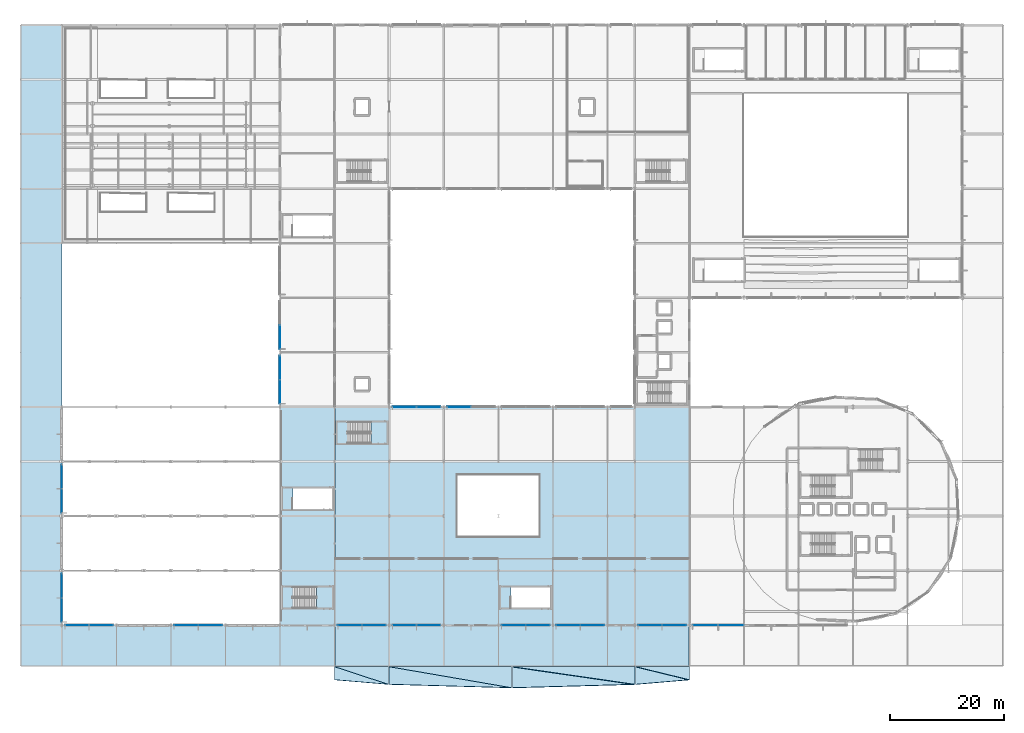
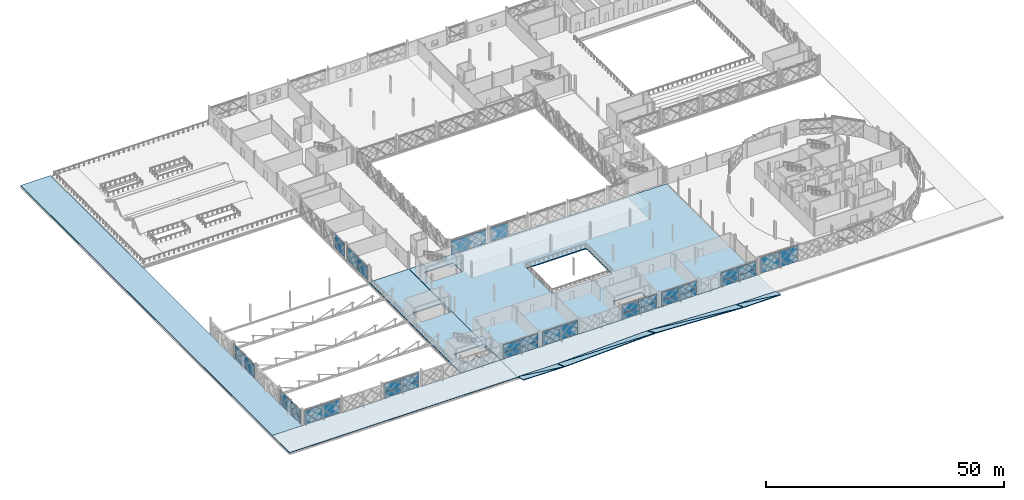
# One storey, part 60 of 101: 38 plates, 15 slabs, 16 elements without a shape of their own.
"""IFC4 building model written with IfcOpenShell, lengths in metres."""

from ifc_helpers import new_model, si_unit, direction, frame, origin, origin_2d, place, context, subcontext, project, spatial, polyline, rectangle, outline, extrude, material, layer, layer_set, type_object, element, aggregate, save


model = new_model("IFC4")

# Units and contexts
model_context = context("Model", 3, precision=1e-05, world=origin(), true_north=direction((0.0, 1.0)))
body_context = subcontext(model_context, "Body", "Model", "MODEL_VIEW")
ifc_project = project(units=[si_unit("LENGTHUNIT", "METRE"), si_unit("AREAUNIT", "SQUARE_METRE"), si_unit("VOLUMEUNIT", "CUBIC_METRE"), si_unit("PLANEANGLEUNIT", "RADIAN"), si_unit("MASSUNIT", "GRAM", prefix="KILO")], contexts=[model_context])

# Site, building, storey
site_placement = place(None, origin())
site = spatial("IfcSite", under=ifc_project, at=site_placement, CompositionType="ELEMENT")
building_placement = place(site_placement, origin())
building = spatial("IfcBuilding", under=site, at=building_placement, Name="Zevrakil Square Congress Hotel", CompositionType="ELEMENT")
storey_placement = place(building_placement, frame((0.0, 0.0, 5.39990234375)))
storey = spatial("IfcBuildingStorey", under=building, at=storey_placement, Name="L02", CompositionType="ELEMENT", Elevation=5.39990234375)

# Curtain wall, plate
ifc_material_1 = material(Name="Aluminium Anodised Bronze", Category="aluminium")
ifc_layer_1 = layer(ifc_material_1, 0.179931640625)
ifc_layer_set_1 = layer_set([ifc_layer_1], Name="Aluminium Anodised Bronze")
curtain_wall_type_1 = type_object("IfcCurtainWallType", Name="CW-L02-840", PredefinedType="USERDEFINED", material=ifc_layer_set_1)
curtain_wall_1_placement = place(storey_placement, origin())
curtain_wall_1 = element("IfcCurtainWall", 1, at=curtain_wall_1_placement, inside=storey, type_object=curtain_wall_type_1, Name="L02 diamond curtain wall CW-L02-0001", ObjectType="GLAZED CURTAIN WALL", PredefinedType="USERDEFINED")
ifc_material_2 = material(Name="Low-E Solar Control Double Glazing", Category="glass")
ifc_layer_2 = layer(ifc_material_2, 0.028076171875)
ifc_layer_set_2 = layer_set([ifc_layer_2], Name="Low-E Solar Control Double Glazing")
plate_type_1 = type_object("IfcPlateType", Name="CWP-GLAZ-28", PredefinedType="CURTAIN_PANEL", material=ifc_layer_set_2)
plate_1_placement = place(storey_placement, frame((9.875, 7.199951171875, 0.06005859375), z_axis=(0.0, 0.0, 1.0), x_axis=(1.0, 0.0, 0.0)))
plate_1 = element("IfcPlate", 2, at=plate_1_placement, type_object=plate_type_1, Name="CW-23 panel 1.1", PredefinedType="CURTAIN_PANEL", context=body_context, shape_type="SweptSolid", body=[
    extrude(rectangle(XDim=4.18994140625, YDim=0.028076171875, at=origin_2d()), origin(), (0.0, 0.0, 1.0), 3.56494140625),
])

curtain_wall_2_placement = place(storey_placement, origin())
curtain_wall_2 = element("IfcCurtainWall", 3, at=curtain_wall_2_placement, inside=storey, type_object=curtain_wall_type_1, Name="L02 diamond curtain wall CW-L02-0002", ObjectType="GLAZED CURTAIN WALL", PredefinedType="USERDEFINED")
plate_2_placement = place(storey_placement, frame((33.324951171875, 7.199951171875, 0.06005859375), z_axis=(0.0, 0.0, 1.0), x_axis=(1.0, 0.0, 0.0)))
plate_2 = element("IfcPlate", 4, at=plate_2_placement, type_object=plate_type_1, Name="CW-23 panel 2.1", PredefinedType="CURTAIN_PANEL", context=body_context, shape_type="SweptSolid", body=[
    extrude(rectangle(XDim=4.18994140625, YDim=0.028076171875, at=origin_2d()), origin(), (0.0, 0.0, 1.0), 1.457763671875),
])

# Curtain wall, plates
curtain_wall_3_placement = place(storey_placement, origin())
curtain_wall_3 = element("IfcCurtainWall", 5, at=curtain_wall_3_placement, inside=storey, type_object=curtain_wall_type_1, Name="L02 diamond curtain wall CW-L02-0004", ObjectType="GLAZED CURTAIN WALL", PredefinedType="USERDEFINED")
plate_3_placement = place(storey_placement, frame((57.875, 7.199951171875, 0.06005859375), z_axis=(0.0, 0.0, 1.0), x_axis=(1.0, 0.0, 0.0)))
plate_3 = element("IfcPlate", 6, at=plate_3_placement, type_object=plate_type_1, Name="CW-23 panel 1.1", PredefinedType="CURTAIN_PANEL", context=body_context, shape_type="SweptSolid", body=[
    extrude(rectangle(XDim=4.18994140625, YDim=0.028076171875, at=origin_2d()), origin(), (0.0, 0.0, 1.0), 1.457763671875),
])
plate_4_placement = place(storey_placement, frame((62.125, 7.199951171875, 0.06005859375), z_axis=(0.0, 0.0, 1.0), x_axis=(1.0, 0.0, 0.0)))
plate_4 = element("IfcPlate", 7, at=plate_4_placement, type_object=plate_type_1, Name="CW-23 panel 2.1", PredefinedType="CURTAIN_PANEL", context=body_context, shape_type="SweptSolid", body=[
    extrude(rectangle(XDim=4.18994140625, YDim=0.028076171875, at=origin_2d()), origin(), (0.0, 0.0, 1.0), 1.457763671875),
])

# Curtain wall, plate
curtain_wall_4_placement = place(storey_placement, origin())
curtain_wall_4 = element("IfcCurtainWall", 8, at=curtain_wall_4_placement, inside=storey, type_object=curtain_wall_type_1, Name="L02 diamond curtain wall CW-L02-0005", ObjectType="GLAZED CURTAIN WALL", PredefinedType="USERDEFINED")
plate_5_placement = place(storey_placement, frame((71.72509765625, 7.199951171875, 0.06005859375), z_axis=(0.0, 0.0, 1.0), x_axis=(1.0, 0.0, 0.0)))
plate_5 = element("IfcPlate", 9, at=plate_5_placement, type_object=plate_type_1, Name="CW-23 panel 2.1", PredefinedType="CURTAIN_PANEL", context=body_context, shape_type="SweptSolid", body=[
    extrude(rectangle(XDim=4.18994140625, YDim=0.028076171875, at=origin_2d()), origin(), (0.0, 0.0, 1.0), 3.56494140625),
])

# Curtain wall, plates
curtain_wall_5_placement = place(storey_placement, origin())
curtain_wall_5 = element("IfcCurtainWall", 10, at=curtain_wall_5_placement, inside=storey, type_object=curtain_wall_type_1, Name="L02 diamond curtain wall CW-L02-0008", ObjectType="GLAZED CURTAIN WALL", PredefinedType="USERDEFINED")
plate_6_placement = place(storey_placement, frame((86.675048828125, 7.199951171875, 1.577880859375), z_axis=(0.0, 0.0, 1.0), x_axis=(1.0, 0.0, 0.0)))
plate_6 = element("IfcPlate", 11, at=plate_6_placement, type_object=plate_type_1, Name="CW-23 panel 1.2", PredefinedType="CURTAIN_PANEL", context=body_context, shape_type="SweptSolid", body=[
    extrude(rectangle(XDim=4.18994140625, YDim=0.028076171875, at=origin_2d()), origin(), (0.0, 0.0, 1.0), 2.04736328125),
])
plate_7_placement = place(storey_placement, frame((90.925048828125, 7.199951171875, 1.577880859375), z_axis=(0.0, 0.0, 1.0), x_axis=(1.0, 0.0, 0.0)))
plate_7 = element("IfcPlate", 12, at=plate_7_placement, type_object=plate_type_1, Name="CW-23 panel 2.2", PredefinedType="CURTAIN_PANEL", context=body_context, shape_type="SweptSolid", body=[
    extrude(rectangle(XDim=4.18994140625, YDim=0.028076171875, at=origin_2d()), origin(), (0.0, 0.0, 1.0), 2.04736328125),
])

# Curtain wall, plate
curtain_wall_6_placement = place(storey_placement, origin())
curtain_wall_6 = element("IfcCurtainWall", 13, at=curtain_wall_6_placement, inside=storey, type_object=curtain_wall_type_1, Name="L02 diamond curtain wall CW-L02-0010", ObjectType="GLAZED CURTAIN WALL", PredefinedType="USERDEFINED")
plate_8_placement = place(storey_placement, frame((96.27490234375, 7.199951171875, 1.577880859375), z_axis=(0.0, 0.0, 1.0), x_axis=(1.0, 0.0, 0.0)))
plate_8 = element("IfcPlate", 14, at=plate_8_placement, type_object=plate_type_1, Name="CW-23 panel 1.2", PredefinedType="CURTAIN_PANEL", context=body_context, shape_type="SweptSolid", body=[
    extrude(rectangle(XDim=4.18994140625, YDim=0.028076171875, at=origin_2d()), origin(), (0.0, 0.0, 1.0), 2.04736328125),
])

curtain_wall_7_placement = place(storey_placement, origin())
curtain_wall_7 = element("IfcCurtainWall", 15, at=curtain_wall_7_placement, inside=storey, type_object=curtain_wall_type_1, Name="L02 diamond curtain wall CW-L02-0012", ObjectType="GLAZED CURTAIN WALL", PredefinedType="USERDEFINED")
plate_9_placement = place(storey_placement, frame((114.925048828125, 7.199951171875, 0.06005859375), z_axis=(0.0, 0.0, 1.0), x_axis=(1.0, 0.0, 0.0)))
plate_9 = element("IfcPlate", 16, at=plate_9_placement, type_object=plate_type_1, Name="CW-23 panel 2.1", PredefinedType="CURTAIN_PANEL", context=body_context, shape_type="SweptSolid", body=[
    extrude(rectangle(XDim=4.18994140625, YDim=0.028076171875, at=origin_2d()), origin(), (0.0, 0.0, 1.0), 1.457763671875),
])

ifc_material_3 = material(Name="Aluminium Anodised Bronze", Category="aluminium")
ifc_layer_3 = layer(ifc_material_3, 0.179931640625)
ifc_layer_set_3 = layer_set([ifc_layer_3], Name="Aluminium Anodised Bronze")
curtain_wall_type_2 = type_object("IfcCurtainWallType", Name="CW-L02-900", PredefinedType="USERDEFINED", material=ifc_layer_set_3)
curtain_wall_8_placement = place(storey_placement, origin())
curtain_wall_8 = element("IfcCurtainWall", 17, at=curtain_wall_8_placement, inside=storey, type_object=curtain_wall_type_2, Name="L02 diamond curtain wall CW-L02-0013", ObjectType="GLAZED CURTAIN WALL", PredefinedType="USERDEFINED")
plate_10_placement = place(storey_placement, frame((124.912841796875, 7.199951171875, 0.06005859375), z_axis=(0.0, 0.0, 1.0), x_axis=(1.0, 0.0, 0.0)))
plate_10 = element("IfcPlate", 18, at=plate_10_placement, type_object=plate_type_1, Name="CW-24 panel 2.1", PredefinedType="CURTAIN_PANEL", context=body_context, shape_type="SweptSolid", body=[
    extrude(rectangle(XDim=4.448486328125, YDim=0.028076171875, at=origin_2d()), origin(), (0.0, 0.0, 1.0), 4.1201171875),
])

# Curtain wall, plates
curtain_wall_9_placement = place(storey_placement, origin())
curtain_wall_9 = element("IfcCurtainWall", 19, at=curtain_wall_9_placement, inside=storey, type_object=curtain_wall_type_1, Name="L02 diamond curtain wall CW-L02-0018", ObjectType="GLAZED CURTAIN WALL", PredefinedType="USERDEFINED")
plate_11_placement = place(storey_placement, frame((7.199951171875, 9.875, 1.573486328125), z_axis=(0.0, 0.0, 1.0), x_axis=(0.0, 1.0, 0.0)))
plate_11 = element("IfcPlate", 20, at=plate_11_placement, type_object=plate_type_1, Name="CW-23 panel 1.2", PredefinedType="CURTAIN_PANEL", context=body_context, shape_type="SweptSolid", body=[
    extrude(rectangle(XDim=4.18994140625, YDim=0.028076171875, at=origin_2d()), origin(), (0.0, 0.0, 1.0), 2.04150390625),
])
plate_12_placement = place(storey_placement, frame((7.199951171875, 14.125, 1.573486328125), z_axis=(0.0, 0.0, 1.0), x_axis=(0.0, 1.0, 0.0)))
plate_12 = element("IfcPlate", 21, at=plate_12_placement, type_object=plate_type_1, Name="CW-23 panel 2.2", PredefinedType="CURTAIN_PANEL", context=body_context, shape_type="SweptSolid", body=[
    extrude(rectangle(XDim=4.18994140625, YDim=0.028076171875, at=origin_2d()), origin(), (0.0, 0.0, 1.0), 2.04150390625),
])

# Curtain wall, plate
curtain_wall_10_placement = place(storey_placement, origin())
curtain_wall_10 = element("IfcCurtainWall", 22, at=curtain_wall_10_placement, inside=storey, type_object=curtain_wall_type_1, Name="L02 diamond curtain wall CW-L02-0019", ObjectType="GLAZED CURTAIN WALL", PredefinedType="USERDEFINED")
plate_13_placement = place(storey_placement, frame((7.199951171875, 29.074951171875, 0.06005859375), z_axis=(0.0, 0.0, 1.0), x_axis=(0.0, 1.0, 0.0)))
plate_13 = element("IfcPlate", 23, at=plate_13_placement, type_object=plate_type_1, Name="CW-23 panel 1.1", PredefinedType="CURTAIN_PANEL", context=body_context, shape_type="SweptSolid", body=[
    extrude(rectangle(XDim=4.18994140625, YDim=0.028076171875, at=origin_2d()), origin(), (0.0, 0.0, 1.0), 3.554931640625),
])

curtain_wall_11_placement = place(storey_placement, origin())
curtain_wall_11 = element("IfcCurtainWall", 24, at=curtain_wall_11_placement, inside=storey, type_object=curtain_wall_type_1, Name="L02 diamond curtain wall CW-L02-0023", ObjectType="GLAZED CURTAIN WALL", PredefinedType="USERDEFINED")
plate_14_placement = place(storey_placement, frame((45.60009765625, 52.52490234375, 0.06005859375), z_axis=(0.0, 0.0, 1.0), x_axis=(0.0, 1.0, 0.0)))
plate_14 = element("IfcPlate", 25, at=plate_14_placement, type_object=plate_type_1, Name="CW-23 panel 2.1", PredefinedType="CURTAIN_PANEL", context=body_context, shape_type="SweptSolid", body=[
    extrude(rectangle(XDim=4.18994140625, YDim=0.028076171875, at=origin_2d()), origin(), (0.0, 0.0, 1.0), 3.554931640625),
])

curtain_wall_12_placement = place(storey_placement, origin())
curtain_wall_12 = element("IfcCurtainWall", 26, at=curtain_wall_12_placement, inside=storey, type_object=curtain_wall_type_1, Name="L02 diamond curtain wall CW-L02-0099", ObjectType="GLAZED CURTAIN WALL", PredefinedType="USERDEFINED")
plate_15_placement = place(storey_placement, frame((67.47509765625, 45.60009765625, 0.06005859375), z_axis=(0.0, 0.0, 1.0), x_axis=(1.0, 0.0, 0.0)))
plate_15 = element("IfcPlate", 27, at=plate_15_placement, type_object=plate_type_1, Name="CW-23 panel 1.1", PredefinedType="CURTAIN_PANEL", context=body_context, shape_type="SweptSolid", body=[
    extrude(rectangle(XDim=4.18994140625, YDim=0.028076171875, at=origin_2d()), origin(), (0.0, 0.0, 1.0), 3.56494140625),
])

# Plate
ifc_material_4 = material(Name="Basalt Grey Ribbed GRC Panel", Category="masonry")
ifc_layer_4 = layer(ifc_material_4, 0.0439453125)
ifc_layer_set_4 = layer_set([ifc_layer_4], Name="Basalt Grey Ribbed GRC Panel")
plate_type_2 = type_object("IfcPlateType", Name="CWP-GRCG-44", PredefinedType="CURTAIN_PANEL", material=ifc_layer_set_4)
plate_16_placement = place(storey_placement, frame((29.074951171875, 7.199951171875, 1.577880859375), z_axis=(0.0, 0.0, 1.0), x_axis=(1.0, 0.0, 0.0)))
plate_16 = element("IfcPlate", 28, at=plate_16_placement, type_object=plate_type_2, Name="CW-23 panel 1.2", PredefinedType="CURTAIN_PANEL", context=body_context, shape_type="SweptSolid", body=[
    extrude(rectangle(XDim=4.18994140625, YDim=0.028076171875, at=origin_2d()), origin(), (0.0, 0.0, 1.0), 2.04736328125),
])

plate_17_placement = place(storey_placement, frame((86.675048828125, 7.199951171875, 0.06005859375), z_axis=(0.0, 0.0, 1.0), x_axis=(1.0, 0.0, 0.0)))
plate_17 = element("IfcPlate", 29, at=plate_17_placement, type_object=plate_type_2, Name="CW-23 panel 1.1", PredefinedType="CURTAIN_PANEL", context=body_context, shape_type="SweptSolid", body=[
    extrude(rectangle(XDim=4.18994140625, YDim=0.028076171875, at=origin_2d()), origin(), (0.0, 0.0, 1.0), 1.457763671875),
])

plate_18_placement = place(storey_placement, frame((100.52490234375, 7.199951171875, 1.577880859375), z_axis=(0.0, 0.0, 1.0), x_axis=(1.0, 0.0, 0.0)))
plate_18 = element("IfcPlate", 30, at=plate_18_placement, type_object=plate_type_2, Name="CW-23 panel 2.2", PredefinedType="CURTAIN_PANEL", context=body_context, shape_type="SweptSolid", body=[
    extrude(rectangle(XDim=4.18994140625, YDim=0.028076171875, at=origin_2d()), origin(), (0.0, 0.0, 1.0), 2.04736328125),
])

plate_19_placement = place(storey_placement, frame((110.675048828125, 7.199951171875, 1.577880859375), z_axis=(0.0, 0.0, 1.0), x_axis=(1.0, 0.0, 0.0)))
plate_19 = element("IfcPlate", 31, at=plate_19_placement, type_object=plate_type_2, Name="CW-23 panel 1.2", PredefinedType="CURTAIN_PANEL", context=body_context, shape_type="SweptSolid", body=[
    extrude(rectangle(XDim=4.18994140625, YDim=0.028076171875, at=origin_2d()), origin(), (0.0, 0.0, 1.0), 2.04736328125),
])

plate_20_placement = place(storey_placement, frame((120.404296875, 7.199951171875, 0.06005859375), z_axis=(0.0, 0.0, 1.0), x_axis=(1.0, 0.0, 0.0)))
plate_20 = element("IfcPlate", 32, at=plate_20_placement, type_object=plate_type_2, Name="CW-24 panel 1.1", PredefinedType="CURTAIN_PANEL", context=body_context, shape_type="SweptSolid", body=[
    extrude(rectangle(XDim=4.448486328125, YDim=0.028076171875, at=origin_2d()), origin(), (0.0, 0.0, 1.0), 4.1201171875),
])

aggregate(curtain_wall_8, [plate_20, plate_10])

plate_21_placement = place(storey_placement, frame((7.199951171875, 9.875, 0.06005859375), z_axis=(0.0, 0.0, 1.0), x_axis=(0.0, 1.0, 0.0)))
plate_21 = element("IfcPlate", 33, at=plate_21_placement, type_object=plate_type_2, Name="CW-23 panel 1.1", PredefinedType="CURTAIN_PANEL", context=body_context, shape_type="SweptSolid", body=[
    extrude(rectangle(XDim=4.18994140625, YDim=0.028076171875, at=origin_2d()), origin(), (0.0, 0.0, 1.0), 1.45361328125),
])

plate_22_placement = place(storey_placement, frame((45.60009765625, 48.27490234375, 0.06005859375), z_axis=(0.0, 0.0, 1.0), x_axis=(0.0, 1.0, 0.0)))
plate_22 = element("IfcPlate", 34, at=plate_22_placement, type_object=plate_type_2, Name="CW-23 panel 1.1", PredefinedType="CURTAIN_PANEL", context=body_context, shape_type="SweptSolid", body=[
    extrude(rectangle(XDim=4.18994140625, YDim=0.028076171875, at=origin_2d()), origin(), (0.0, 0.0, 1.0), 3.554931640625),
])

aggregate(curtain_wall_11, [plate_22, plate_14])

# Curtain wall, plate
curtain_wall_13_placement = place(storey_placement, origin())
curtain_wall_13 = element("IfcCurtainWall", 35, at=curtain_wall_13_placement, inside=storey, type_object=curtain_wall_type_1, Name="L02 diamond curtain wall CW-L02-0103", ObjectType="GLAZED CURTAIN WALL", PredefinedType="USERDEFINED")
plate_23_placement = place(storey_placement, frame((77.074951171875, 45.60009765625, 0.06005859375), z_axis=(0.0, 0.0, 1.0), x_axis=(1.0, 0.0, 0.0)))
plate_23 = element("IfcPlate", 36, at=plate_23_placement, type_object=plate_type_2, Name="CW-23 panel 1.1", PredefinedType="CURTAIN_PANEL", context=body_context, shape_type="SweptSolid", body=[
    extrude(rectangle(XDim=4.18994140625, YDim=0.028076171875, at=origin_2d()), origin(), (0.0, 0.0, 1.0), 3.56494140625),
])
aggregate(curtain_wall_13, [plate_23])

# Plate
ifc_material_5 = material(Name="White Ribbed Highland GRC Panel", Category="concrete")
ifc_layer_5 = layer(ifc_material_5, 0.0400390625)
ifc_layer_set_5 = layer_set([ifc_layer_5], Name="White Ribbed Highland GRC Panel")
plate_type_3 = type_object("IfcPlateType", Name="CWP-GRCW-40", PredefinedType="CURTAIN_PANEL", material=ifc_layer_set_5)
plate_24_placement = place(storey_placement, frame((14.125, 7.199951171875, 0.06005859375), z_axis=(0.0, 0.0, 1.0), x_axis=(1.0, 0.0, 0.0)))
plate_24 = element("IfcPlate", 37, at=plate_24_placement, type_object=plate_type_3, Name="CW-23 panel 2.1", PredefinedType="CURTAIN_PANEL", context=body_context, shape_type="SweptSolid", body=[
    extrude(rectangle(XDim=4.18994140625, YDim=0.028076171875, at=origin_2d()), origin(), (0.0, 0.0, 1.0), 3.56494140625),
])

aggregate(curtain_wall_1, [plate_1, plate_24])

plate_25_placement = place(storey_placement, frame((29.074951171875, 7.199951171875, 0.06005859375), z_axis=(0.0, 0.0, 1.0), x_axis=(1.0, 0.0, 0.0)))
plate_25 = element("IfcPlate", 38, at=plate_25_placement, type_object=plate_type_3, Name="CW-23 panel 1.1", PredefinedType="CURTAIN_PANEL", context=body_context, shape_type="SweptSolid", body=[
    extrude(rectangle(XDim=4.18994140625, YDim=0.028076171875, at=origin_2d()), origin(), (0.0, 0.0, 1.0), 1.457763671875),
])

plate_26_placement = place(storey_placement, frame((33.324951171875, 7.199951171875, 1.577880859375), z_axis=(0.0, 0.0, 1.0), x_axis=(1.0, 0.0, 0.0)))
plate_26 = element("IfcPlate", 39, at=plate_26_placement, type_object=plate_type_3, Name="CW-23 panel 2.2", PredefinedType="CURTAIN_PANEL", context=body_context, shape_type="SweptSolid", body=[
    extrude(rectangle(XDim=4.18994140625, YDim=0.028076171875, at=origin_2d()), origin(), (0.0, 0.0, 1.0), 2.04736328125),
])

aggregate(curtain_wall_2, [plate_25, plate_16, plate_2, plate_26])

plate_27_placement = place(storey_placement, frame((57.875, 7.199951171875, 1.577880859375), z_axis=(0.0, 0.0, 1.0), x_axis=(1.0, 0.0, 0.0)))
plate_27 = element("IfcPlate", 40, at=plate_27_placement, type_object=plate_type_3, Name="CW-23 panel 1.2", PredefinedType="CURTAIN_PANEL", context=body_context, shape_type="SweptSolid", body=[
    extrude(rectangle(XDim=4.18994140625, YDim=0.028076171875, at=origin_2d()), origin(), (0.0, 0.0, 1.0), 2.04736328125),
])

plate_28_placement = place(storey_placement, frame((62.125, 7.199951171875, 1.577880859375), z_axis=(0.0, 0.0, 1.0), x_axis=(1.0, 0.0, 0.0)))
plate_28 = element("IfcPlate", 41, at=plate_28_placement, type_object=plate_type_3, Name="CW-23 panel 2.2", PredefinedType="CURTAIN_PANEL", context=body_context, shape_type="SweptSolid", body=[
    extrude(rectangle(XDim=4.18994140625, YDim=0.028076171875, at=origin_2d()), origin(), (0.0, 0.0, 1.0), 2.04736328125),
])

aggregate(curtain_wall_3, [plate_3, plate_27, plate_4, plate_28])

plate_29_placement = place(storey_placement, frame((67.47509765625, 7.199951171875, 0.06005859375), z_axis=(0.0, 0.0, 1.0), x_axis=(1.0, 0.0, 0.0)))
plate_29 = element("IfcPlate", 42, at=plate_29_placement, type_object=plate_type_3, Name="CW-23 panel 1.1", PredefinedType="CURTAIN_PANEL", context=body_context, shape_type="SweptSolid", body=[
    extrude(rectangle(XDim=4.18994140625, YDim=0.028076171875, at=origin_2d()), origin(), (0.0, 0.0, 1.0), 3.56494140625),
])

aggregate(curtain_wall_4, [plate_29, plate_5])

plate_30_placement = place(storey_placement, frame((90.925048828125, 7.199951171875, 0.06005859375), z_axis=(0.0, 0.0, 1.0), x_axis=(1.0, 0.0, 0.0)))
plate_30 = element("IfcPlate", 43, at=plate_30_placement, type_object=plate_type_3, Name="CW-23 panel 2.1", PredefinedType="CURTAIN_PANEL", context=body_context, shape_type="SweptSolid", body=[
    extrude(rectangle(XDim=4.18994140625, YDim=0.028076171875, at=origin_2d()), origin(), (0.0, 0.0, 1.0), 1.457763671875),
])

aggregate(curtain_wall_5, [plate_17, plate_6, plate_30, plate_7])

plate_31_placement = place(storey_placement, frame((96.27490234375, 7.199951171875, 0.06005859375), z_axis=(0.0, 0.0, 1.0), x_axis=(1.0, 0.0, 0.0)))
plate_31 = element("IfcPlate", 44, at=plate_31_placement, type_object=plate_type_3, Name="CW-23 panel 1.1", PredefinedType="CURTAIN_PANEL", context=body_context, shape_type="SweptSolid", body=[
    extrude(rectangle(XDim=4.18994140625, YDim=0.028076171875, at=origin_2d()), origin(), (0.0, 0.0, 1.0), 1.457763671875),
])

plate_32_placement = place(storey_placement, frame((100.52490234375, 7.199951171875, 0.06005859375), z_axis=(0.0, 0.0, 1.0), x_axis=(1.0, 0.0, 0.0)))
plate_32 = element("IfcPlate", 45, at=plate_32_placement, type_object=plate_type_3, Name="CW-23 panel 2.1", PredefinedType="CURTAIN_PANEL", context=body_context, shape_type="SweptSolid", body=[
    extrude(rectangle(XDim=4.18994140625, YDim=0.028076171875, at=origin_2d()), origin(), (0.0, 0.0, 1.0), 1.457763671875),
])

aggregate(curtain_wall_6, [plate_31, plate_8, plate_32, plate_18])

plate_33_placement = place(storey_placement, frame((110.675048828125, 7.199951171875, 0.06005859375), z_axis=(0.0, 0.0, 1.0), x_axis=(1.0, 0.0, 0.0)))
plate_33 = element("IfcPlate", 46, at=plate_33_placement, type_object=plate_type_3, Name="CW-23 panel 1.1", PredefinedType="CURTAIN_PANEL", context=body_context, shape_type="SweptSolid", body=[
    extrude(rectangle(XDim=4.18994140625, YDim=0.028076171875, at=origin_2d()), origin(), (0.0, 0.0, 1.0), 1.457763671875),
])

plate_34_placement = place(storey_placement, frame((114.925048828125, 7.199951171875, 1.577880859375), z_axis=(0.0, 0.0, 1.0), x_axis=(1.0, 0.0, 0.0)))
plate_34 = element("IfcPlate", 47, at=plate_34_placement, type_object=plate_type_3, Name="CW-23 panel 2.2", PredefinedType="CURTAIN_PANEL", context=body_context, shape_type="SweptSolid", body=[
    extrude(rectangle(XDim=4.18994140625, YDim=0.028076171875, at=origin_2d()), origin(), (0.0, 0.0, 1.0), 2.04736328125),
])

aggregate(curtain_wall_7, [plate_33, plate_19, plate_9, plate_34])

plate_35_placement = place(storey_placement, frame((7.199951171875, 14.125, 0.06005859375), z_axis=(0.0, 0.0, 1.0), x_axis=(0.0, 1.0, 0.0)))
plate_35 = element("IfcPlate", 48, at=plate_35_placement, type_object=plate_type_3, Name="CW-23 panel 2.1", PredefinedType="CURTAIN_PANEL", context=body_context, shape_type="SweptSolid", body=[
    extrude(rectangle(XDim=4.18994140625, YDim=0.028076171875, at=origin_2d()), origin(), (0.0, 0.0, 1.0), 1.45361328125),
])

aggregate(curtain_wall_9, [plate_21, plate_11, plate_35, plate_12])

plate_36_placement = place(storey_placement, frame((7.199951171875, 33.324951171875, 0.06005859375), z_axis=(0.0, 0.0, 1.0), x_axis=(0.0, 1.0, 0.0)))
plate_36 = element("IfcPlate", 49, at=plate_36_placement, type_object=plate_type_3, Name="CW-23 panel 2.1", PredefinedType="CURTAIN_PANEL", context=body_context, shape_type="SweptSolid", body=[
    extrude(rectangle(XDim=4.18994140625, YDim=0.028076171875, at=origin_2d()), origin(), (0.0, 0.0, 1.0), 3.554931640625),
])

aggregate(curtain_wall_10, [plate_13, plate_36])

# Curtain wall, plate
curtain_wall_14_placement = place(storey_placement, origin())
curtain_wall_14 = element("IfcCurtainWall", 50, at=curtain_wall_14_placement, inside=storey, type_object=curtain_wall_type_1, Name="L02 diamond curtain wall CW-L02-0025", ObjectType="GLAZED CURTAIN WALL", PredefinedType="USERDEFINED")
plate_37_placement = place(storey_placement, frame((45.60009765625, 57.875, 0.06005859375), z_axis=(0.0, 0.0, 1.0), x_axis=(0.0, 1.0, 0.0)))
plate_37 = element("IfcPlate", 51, at=plate_37_placement, type_object=plate_type_3, Name="CW-23 panel 1.1", PredefinedType="CURTAIN_PANEL", context=body_context, shape_type="SweptSolid", body=[
    extrude(rectangle(XDim=4.18994140625, YDim=0.028076171875, at=origin_2d()), origin(), (0.0, 0.0, 1.0), 3.554931640625),
])
aggregate(curtain_wall_14, [plate_37])

# Plate
plate_38_placement = place(storey_placement, frame((71.72509765625, 45.60009765625, 0.06005859375), z_axis=(0.0, 0.0, 1.0), x_axis=(1.0, 0.0, 0.0)))
plate_38 = element("IfcPlate", 52, at=plate_38_placement, type_object=plate_type_3, Name="CW-23 panel 2.1", PredefinedType="CURTAIN_PANEL", context=body_context, shape_type="SweptSolid", body=[
    extrude(rectangle(XDim=4.18994140625, YDim=0.028076171875, at=origin_2d()), origin(), (0.0, 0.0, 1.0), 3.56494140625),
])

aggregate(curtain_wall_12, [plate_15, plate_38])

# Slabs
ifc_material_6 = material(Name="Concrete C35/45", Category="concrete")
ifc_layer_6 = layer(ifc_material_6, 0.2548828125)
ifc_layer_set_6 = layer_set([ifc_layer_6], Name="Concrete C35/45")
slab_type_1 = type_object("IfcSlabType", Name="SLB-DRUM-195", PredefinedType="FLOOR", material=ifc_layer_set_6)
slab_1_placement = place(storey_placement, frame((0.0, 0.0, -0.2548828125)))
element("IfcSlab", 53, at=slab_1_placement, inside=storey, type_object=slab_type_1, Name="L02 bal-mezz composite floor slab", PredefinedType="FLOOR", context=body_context, shape_type="SweptSolid", body=[
    extrude(outline(polyline([(45.60009765625, 7.199951171875), (45.60009765625, 45.60009765625), (55.175048828125, 45.60009765625), (55.175048828125, 7.199951171875), (45.60009765625, 7.199951171875)]), holes=[polyline([(47.844970703125, 10.199951171875), (54.800048828125, 10.199951171875), (54.800048828125, 13.949951171875), (47.844970703125, 13.949951171875), (47.844970703125, 10.199951171875)]), polyline([(47.844970703125, 27.60009765625), (54.800048828125, 27.60009765625), (54.800048828125, 31.35009765625), (47.844970703125, 31.35009765625), (47.844970703125, 27.60009765625)])]), origin(), (0.0, 0.0, 1.0), 0.2548828125),
])
slab_2_placement = place(storey_placement, frame((0.0, 0.0, -0.2548828125)))
element("IfcSlab", 54, at=slab_2_placement, inside=storey, type_object=slab_type_1, Name="L02 south composite floor slab (M joint block)", PredefinedType="FLOOR", context=body_context, shape_type="SweptSolid", body=[
    extrude(outline(polyline([(55.22509765625, 7.199951171875), (55.22509765625, 45.60009765625), (117.574951171875, 45.60009765625), (117.574951171875, 7.199951171875), (55.22509765625, 7.199951171875)]), holes=[polyline([(57.445068359375, 39.199951171875), (64.39990234375, 39.199951171875), (64.39990234375, 42.949951171875), (57.445068359375, 42.949951171875), (57.445068359375, 39.199951171875)]), polyline([(86.2451171875, 10.199951171875), (93.199951171875, 10.199951171875), (93.199951171875, 13.949951171875), (86.2451171875, 13.949951171875), (86.2451171875, 10.199951171875)]), polyline([(76.800048828125, 22.800048828125), (91.199951171875, 22.800048828125), (91.199951171875, 33.60009765625), (76.800048828125, 33.60009765625), (76.800048828125, 22.800048828125)])]), origin(), (0.0, 0.0, 1.0), 0.2548828125),
])
ifc_material_7 = material(Name="Concrete C35/45", Category="concrete")
ifc_layer_7 = layer(ifc_material_7, 0.175048828125)
ifc_layer_set_7 = layer_set([ifc_layer_7], Name="Concrete C35/45")
slab_type_2 = type_object("IfcSlabType", Name="SLB-ROOF-COL-175", PredefinedType="ROOF", material=ifc_layer_set_7)
slab_3_placement = place(storey_placement, frame((0.0, 0.0, -0.1748046875)))
element("IfcSlab", 55, at=slab_3_placement, inside=storey, type_object=slab_type_2, Name="L02 civic square colonnade canopy roof COL-S (W joint block)", PredefinedType="ROOF", context=body_context, shape_type="SweptSolid", body=[
    extrude(outline(polyline([(0.0, 0.0), (0.0, 7.199951171875), (55.175048828125, 7.199951171875), (55.175048828125, 0.0), (0.0, 0.0)])), origin(), (0.0, 0.0, 1.0), 0.1748046875),
])
slab_4_placement = place(storey_placement, frame((0.0, 0.0, -0.1748046875)))
element("IfcSlab", 56, at=slab_4_placement, inside=storey, type_object=slab_type_2, Name="L02 civic square colonnade canopy roof COL-S (M joint block)", PredefinedType="ROOF", context=body_context, shape_type="SweptSolid", body=[
    extrude(outline(polyline([(55.22509765625, 0.0), (55.22509765625, 7.199951171875), (117.574951171875, 7.199951171875), (117.574951171875, 0.0), (55.22509765625, 0.0)])), origin(), (0.0, 0.0, 1.0), 0.1748046875),
])
slab_5_placement = place(storey_placement, frame((0.0, 0.0, -0.1748046875)))
element("IfcSlab", 57, at=slab_5_placement, inside=storey, type_object=slab_type_2, Name="L02 civic square colonnade canopy roof COL-W", PredefinedType="ROOF", context=body_context, shape_type="SweptSolid", body=[
    extrude(outline(polyline([(0.0, 112.800048828125), (7.199951171875, 112.800048828125), (7.199951171875, 7.199951171875), (0.0, 7.199951171875), (0.0, 112.800048828125)])), origin(), (0.0, 0.0, 1.0), 0.1748046875),
])
ifc_material_8 = material(Name="Concrete C35/45", Category="concrete")
ifc_layer_8 = layer(ifc_material_8, 0.139892578125)
ifc_layer_set_8 = layer_set([ifc_layer_8], Name="Concrete C35/45")
slab_type_3 = type_object("IfcSlabType", Name="SLB-SADDLE-140", PredefinedType="ROOF", material=ifc_layer_set_8)
slab_6_placement = place(storey_placement, frame((64.800048828125, -0.10009765625, 0.16015625), z_axis=(-0.051420390115, 0.344673230673, 0.937313345439), x_axis=(0.0, -0.938554962893, 0.345129804028)))
element("IfcSlab", 58, at=slab_6_placement, inside=storey, type_object=slab_type_3, Name="L02 south square folded entrance canopy facet CN-01A", PredefinedType="ROOF", context=body_context, shape_type="SweptSolid", body=[
    extrude(outline(polyline([(0.0, 0.0), (3.302793803433259, -6.938893903907228e-18), (4.349250718690579, 21.52848009728635), (0.0, 0.0)])), origin(), (0.0, 0.0, -1.0), 0.159912109375),
])
slab_7_placement = place(storey_placement, frame((64.800048828125, -0.10009765625, 0.16015625), z_axis=(-0.035472058964, 0.417281551755, 0.908084709484), x_axis=(0.978900758176, -0.168459767784, 0.115648658794)))
element("IfcSlab", 59, at=slab_7_placement, inside=storey, type_object=slab_type_3, Name="L02 south square folded entrance canopy facet CN-01B", PredefinedType="ROOF", context=body_context, shape_type="SweptSolid", body=[
    extrude(outline(polyline([(0.0, 0.0), (21.963411326870084, 0.0), (21.143493104063896, 3.9884880447127458), (0.0, 0.0)])), origin(), (0.0, 0.0, -1.0), 0.159912109375),
])
slab_8_placement = place(storey_placement, frame((86.5, -0.10009765625, 1.0), z_axis=(0.047466664682, 0.417073679033, 0.907632338561), x_axis=(0.0, -0.908656555688, 0.417544325557)))
element("IfcSlab", 60, at=slab_8_placement, inside=storey, type_object=slab_type_3, Name="L02 south square folded entrance canopy facet CN-02A", PredefinedType="ROOF", context=body_context, shape_type="SweptSolid", body=[
    extrude(outline(polyline([(0.0, 0.0), (4.071891793123457, 0.0), (2.9419859042196297, 21.524261661134044), (0.0, 0.0)])), origin(), (0.0, 0.0, -1.0), 0.159912109375),
])
slab_9_placement = place(storey_placement, frame((86.5, -0.10009765625, 1.0), z_axis=(0.036637688699, 0.344898088884, 0.937924830704), x_axis=(0.989671056099, -0.142690014073, 0.013811611191)))
element("IfcSlab", 61, at=slab_9_placement, inside=storey, type_object=slab_type_3, Name="L02 south square folded entrance canopy facet CN-02B", PredefinedType="ROOF", context=body_context, shape_type="SweptSolid", body=[
    extrude(outline(polyline([(0.0, 0.0), (21.72439000565014, 6.245004513516506e-16), (21.266328110793747, 3.270875449857072), (0.0, 0.0)])), origin(), (0.0, 0.0, -1.0), 0.159912109375),
])
slab_10_placement = place(storey_placement, frame((55.199951171875, -0.10009765625, 0.16015625), z_axis=(-0.035364116916, 0.248279328013, 0.968042744158), x_axis=(0.0, -0.968648639705, 0.248434725427)))
element("IfcSlab", 62, at=slab_10_placement, inside=storey, type_object=slab_type_3, Name="L02 south square folded entrance canopy facet CN-03A", PredefinedType="ROOF", context=body_context, shape_type="SweptSolid", body=[
    extrude(outline(polyline([(0.0, 0.0), (2.3742403522097413, 3.469446951953614e-18), (3.285857790857296, 9.445849842110173), (0.0, 0.0)])), origin(), (0.0, 0.0, -1.0), 0.159912109375),
])
slab_11_placement = place(storey_placement, frame((55.199951171875, -0.10009765625, 0.16015625), z_axis=(0.0, 0.345129804028, 0.938554962893), x_axis=(0.943895316837, -0.309952900168, 0.113977324634)))
element("IfcSlab", 63, at=slab_11_placement, inside=storey, type_object=slab_type_3, Name="L02 south square folded entrance canopy facet CN-03B", PredefinedType="ROOF", context=body_context, shape_type="SweptSolid", body=[
    extrude(outline(polyline([(0.0, 0.0), (10.001046978263346, 5.551115123125783e-17), (8.910316484575437, 3.1174916035390488), (0.0, 0.0)])), origin(), (0.0, 0.0, -1.0), 0.159912109375),
])
slab_12_placement = place(storey_placement, frame((108.159912109375, -0.10009765625, 0.16015625), z_axis=(0.025428812958, 0.345018201286, 0.938251467493), x_axis=(0.0, -0.938554962893, 0.345129804028)))
element("IfcSlab", 64, at=slab_12_placement, inside=storey, type_object=slab_type_3, Name="L02 south square folded entrance canopy facet CN-04A", PredefinedType="ROOF", context=body_context, shape_type="SweptSolid", body=[
    extrude(outline(polyline([(0.0, 0.0), (3.302793803433259, 0.0), (2.362065760982888, 9.443239155622448), (0.0, 0.0)])), origin(), (0.0, 0.0, -1.0), 0.159912109375),
])
slab_13_placement = place(storey_placement, frame((108.159912109375, -0.10009765625, 0.16015625), z_axis=(0.0, 0.248434725427, 0.968648639705), x_axis=(0.969798433357, -0.236260926429, 0.06059515905)))
element("IfcSlab", 65, at=slab_13_placement, inside=storey, type_object=slab_type_3, Name="L02 south square folded entrance canopy facet CN-04B", PredefinedType="ROOF", context=body_context, shape_type="SweptSolid", body=[
    extrude(outline(polyline([(0.0, 0.0), (9.734172815883674, -4.163336342344337e-16), (9.155077153963344, 2.302534573987129), (0.0, 0.0)])), origin(), (0.0, 0.0, -1.0), 0.159912109375),
])

# Stair, slab
ifc_material_9 = material(Name="Concrete C35/45", Category="concrete")
stair_type = type_object("IfcStairType", Name="STR-DOGLEG-180", PredefinedType="HALF_TURN_STAIR", material=ifc_material_9)
stair_1_placement = place(storey_placement, origin())
stair_1 = element("IfcStair", 66, at=stair_1_placement, inside=storey, type_object=stair_type, Name="L02 Protected exit stair ST04", PredefinedType="HALF_TURN_STAIR")
ifc_material_10 = material(Name="Concrete C35/45", Category="concrete")
ifc_layer_9 = layer(ifc_material_10, 0.199951171875)
ifc_layer_set_9 = layer_set([ifc_layer_9], Name="Concrete C35/45")
slab_type_4 = type_object("IfcSlabType", Name="SLB-STAIR-LAND-200", PredefinedType="LANDING", material=ifc_layer_set_9)
slab_14_placement = place(storey_placement, frame((0.0, 0.0, 2.050048828125)))
slab_14 = element("IfcSlab", 67, at=slab_14_placement, type_object=slab_type_4, Name="ST04 landing 1", PredefinedType="LANDING", context=body_context, shape_type="SweptSolid", body=[
    extrude(outline(polyline([(61.60009765625, 39.199951171875), (64.39990234375, 39.199951171875), (64.39990234375, 42.949951171875), (61.60009765625, 42.949951171875), (61.60009765625, 39.199951171875)])), origin(), (0.0, 0.0, 1.0), 0.199951171875),
])
aggregate(stair_1, [slab_14])

stair_2_placement = place(storey_placement, origin())
stair_2 = element("IfcStair", 68, at=stair_2_placement, inside=storey, type_object=stair_type, Name="L02 Protected exit stair ST12", PredefinedType="HALF_TURN_STAIR")
slab_15_placement = place(storey_placement, frame((0.0, 0.0, 2.050048828125)))
slab_15 = element("IfcSlab", 69, at=slab_15_placement, type_object=slab_type_4, Name="ST12 landing 1", PredefinedType="LANDING", context=body_context, shape_type="SweptSolid", body=[
    extrude(outline(polyline([(52.0, 10.199951171875), (54.800048828125, 10.199951171875), (54.800048828125, 13.949951171875), (52.0, 13.949951171875), (52.0, 10.199951171875)])), origin(), (0.0, 0.0, 1.0), 0.199951171875),
])
aggregate(stair_2, [slab_15])

save(model, "model.ifc")
